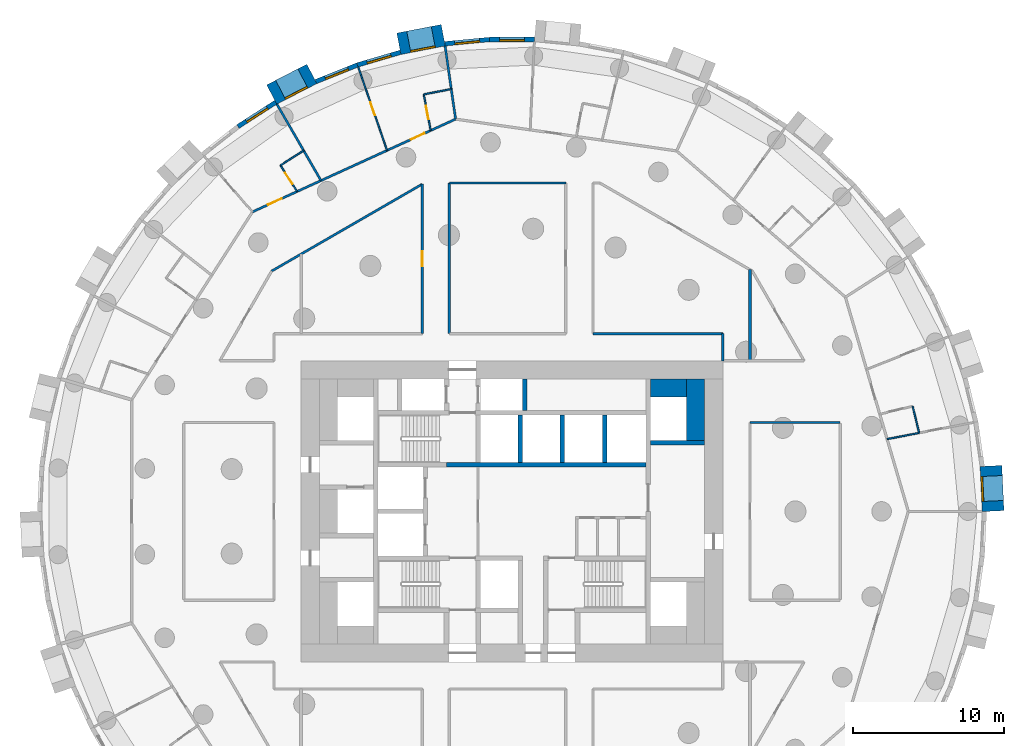
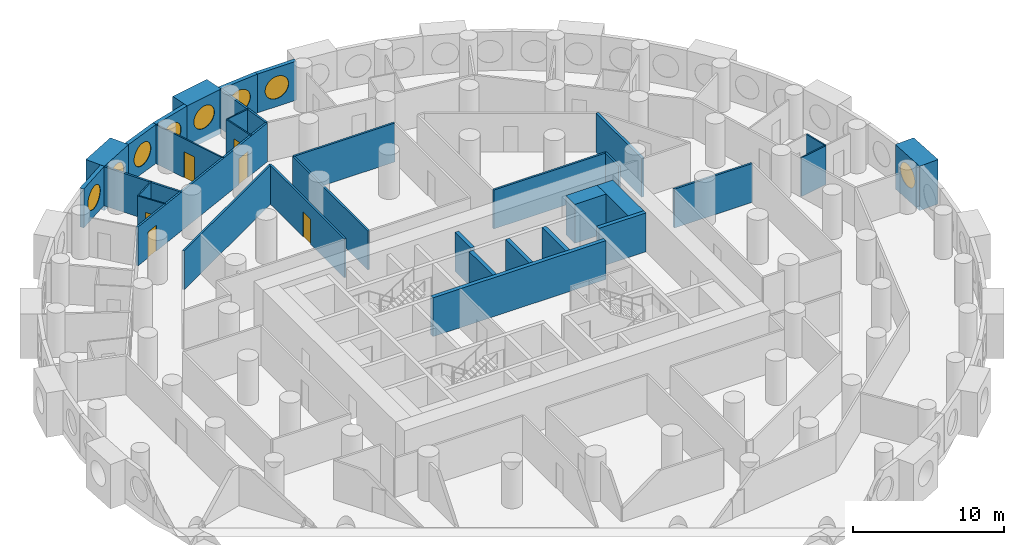
# One storey, part 8 of 12: 34 walls, 8 windows, 6 doors, 14 openings.
"""IFC4 building model written with IfcOpenShell, lengths in metres."""

from ifc_helpers import new_model, si_unit, direction, frame, frame_2d, origin, origin_2d, place, context, subcontext, project, spatial, rectangle, circle, extrude, material, layer, layer_set, type_object, element, fill, save


model = new_model("IFC4")

# Units and contexts
model_context = context("Model", 3, precision=1e-05, world=origin(), true_north=direction((0.0, 1.0)))
body_context = subcontext(model_context, "Body", "Model", "MODEL_VIEW")
ifc_project = project(units=[si_unit("LENGTHUNIT", "METRE"), si_unit("AREAUNIT", "SQUARE_METRE"), si_unit("VOLUMEUNIT", "CUBIC_METRE"), si_unit("PLANEANGLEUNIT", "RADIAN"), si_unit("MASSUNIT", "GRAM", prefix="KILO")], contexts=[model_context])

# Site, building, storey
site_placement = place(None, origin())
site = spatial("IfcSite", under=ifc_project, at=site_placement, CompositionType="ELEMENT")
building_placement = place(site_placement, origin())
building = spatial("IfcBuilding", under=site, at=building_placement, Name="Tracery Tower", CompositionType="ELEMENT")
storey_placement = place(building_placement, frame((0.0, 0.0, 89.39990234375)))
storey = spatial("IfcBuildingStorey", under=building, at=storey_placement, Name="L22", CompositionType="ELEMENT", Elevation=89.39990234375)

# Walls
ifc_material_1 = material(Name="Concrete C60/75", Category="concrete")
ifc_layer_1 = layer(ifc_material_1, 1.199951171875)
ifc_layer_set_1 = layer_set([ifc_layer_1], Name="Core strip wall 1200 C60")
wall_type_1 = type_object("IfcWallType", Name="Core strip wall 1200 C60", PredefinedType="SOLIDWALL", material=ifc_layer_set_1)
wall_1_placement = place(storey_placement, frame((12.199951171875, 4.699951171875, 0.0), z_axis=(0.0, 0.0, 1.0), x_axis=(0.0, 1.0, 0.0)))
element("IfcWall", 1, at=wall_1_placement, inside=storey, type_object=wall_type_1, Name="L22 wing strip +1 4.55", PredefinedType="SOLIDWALL", context=body_context, shape_type="SweptSolid", body=[
    extrude(rectangle(XDim=4.10009765625, YDim=1.199951171875, at=frame_2d((2.050048828125, 0.0))), origin(), (0.0, 0.0, 1.0), 3.150146484375),
])
wall_2_placement = place(storey_placement, frame((9.199951171875, 8.199951171875, 0.0), z_axis=(0.0, 0.0, 1.0), x_axis=(1.0, 0.0, 0.0)))
element("IfcWall", 2, at=wall_2_placement, inside=storey, type_object=wall_type_1, Name="L22 wing corner +1 +8.2", PredefinedType="SOLIDWALL", context=body_context, shape_type="SweptSolid", body=[
    extrude(rectangle(XDim=2.400146484375, YDim=1.199951171875, at=frame_2d((1.2001953125, 0.0))), origin(), (0.0, 0.0, 1.0), 3.150146484375),
])

# Wall, opening, window
ifc_material_2 = material(Name="Precast concrete C50/60", Category="concrete")
ifc_layer_2 = layer(ifc_material_2, 1.449951171875)
ifc_layer_set_2 = layer_set([ifc_layer_2], Name="Deep-set bay unit 3000 x 3600, slab edge 450")
wall_type_2 = type_object("IfcWallType", Name="Deep-set bay unit 3000 x 3600, slab edge 450", PredefinedType="ELEMENTEDWALL", material=ifc_layer_set_2)
wall_3_placement = place(storey_placement, frame((31.94921875, 0.020263671875, -0.449951171875), z_axis=(0.0, 0.0, 1.0), x_axis=(-0.047607680889, 0.998866111509, 0.0)))
wall_3 = element("IfcWall", 3, at=wall_3_placement, inside=storey, type_object=wall_type_2, Name="Deep-set bay unit 1 at L22", PredefinedType="ELEMENTEDWALL", context=body_context, shape_type="SweptSolid", body=[
    extrude(rectangle(XDim=3.0, YDim=1.449951171875, at=frame_2d((1.5, 0.0))), origin(), (0.0, 0.0, 1.0), 3.60009765625),
])
opening_1_placement = place(wall_3_placement, frame((1.5, 0.0, 2.0)))
opening_1 = element("IfcOpeningElement", 4, at=opening_1_placement, cuts=wall_3, Name="Opening WN1", PredefinedType="OPENING", context=body_context, shape_type="SweptSolid", body=[
    extrude(circle(Radius=0.9000244140625, at=origin_2d()), frame((0.0, 0.73486328125, 0.0), z_axis=(0.0, -1.0, 0.0), x_axis=(1.0, 0.0, 0.0)), (0.0, 0.0, 1.0), 1.469970703125),
])
ifc_material_3 = material(Name="Aluminium frame with tinted double glazing", Category="aluminium")
window_type = type_object("IfcWindowType", Name="Round window 1800", PartitioningType="SINGLE_PANEL", PredefinedType="WINDOW", material=ifc_material_3)
window_1_placement = place(opening_1_placement, origin())
window_1 = element("IfcWindow", 5, at=window_1_placement, inside=storey, type_object=window_type, Name="Round window 1 at L22", OverallHeight=1.800048828125, OverallWidth=1.800048828125, PartitioningType="SINGLE_PANEL", PredefinedType="WINDOW", context=body_context, shape_type="SweptSolid", body=[
    extrude(circle(Radius=0.9000244140625, at=origin_2d()), frame((0.0, 0.69482421875, 0.0), z_axis=(0.0, -1.0, 0.0), x_axis=(1.0, 0.0, 0.0)), (0.0, 0.0, 1.0), 0.10009765625),
])
fill(opening_1, window_1)

wall_4_placement = place(storey_placement, frame((-4.56689453125, 31.62109375, -0.449951171875), z_axis=(0.0, 0.0, 1.0), x_axis=(-0.981921602273, -0.189288052949, 0.0)))
wall_4 = element("IfcWall", 6, at=wall_4_placement, inside=storey, type_object=wall_type_2, Name="Deep-set bay unit 19 at L22", PredefinedType="ELEMENTEDWALL", context=body_context, shape_type="SweptSolid", body=[
    extrude(rectangle(XDim=3.0, YDim=1.449951171875, at=frame_2d((1.5, 0.0))), origin(), (0.0, 0.0, 1.0), 3.60009765625),
])
opening_2_placement = place(wall_4_placement, frame((1.5, 0.0, 2.0)))
opening_2 = element("IfcOpeningElement", 7, at=opening_2_placement, cuts=wall_4, Name="Opening WN1", PredefinedType="OPENING", context=body_context, shape_type="SweptSolid", body=[
    extrude(circle(Radius=0.9000244140625, at=origin_2d()), frame((0.0, 0.73486328125, 0.0), z_axis=(0.0, -1.0, 0.0), x_axis=(1.0, 0.0, 0.0)), (0.0, 0.0, 1.0), 1.469970703125),
])
window_2_placement = place(opening_2_placement, origin())
window_2 = element("IfcWindow", 8, at=window_2_placement, inside=storey, type_object=window_type, Name="Round window 19 at L22", OverallHeight=1.800048828125, OverallWidth=1.800048828125, PartitioningType="SINGLE_PANEL", PredefinedType="WINDOW", context=body_context, shape_type="SweptSolid", body=[
    extrude(circle(Radius=0.9000244140625, at=origin_2d()), frame((0.0, 0.69482421875, 0.0), z_axis=(0.0, -1.0, 0.0), x_axis=(1.0, 0.0, 0.0)), (0.0, 0.0, 1.0), 0.10009765625),
])
fill(opening_2, window_2)

wall_5_placement = place(storey_placement, frame((-13.29052734375, 29.053466796875, -0.449951171875), z_axis=(0.0, 0.0, 1.0), x_axis=(-0.888858064689, -0.458182650083, 0.0)))
wall_5 = element("IfcWall", 9, at=wall_5_placement, inside=storey, type_object=wall_type_2, Name="Deep-set bay unit 22 at L22", PredefinedType="ELEMENTEDWALL", context=body_context, shape_type="SweptSolid", body=[
    extrude(rectangle(XDim=3.0, YDim=1.449951171875, at=frame_2d((1.5, 0.0))), origin(), (0.0, 0.0, 1.0), 3.60009765625),
])
opening_3_placement = place(wall_5_placement, frame((1.5, 0.0, 2.0)))
opening_3 = element("IfcOpeningElement", 10, at=opening_3_placement, cuts=wall_5, Name="Opening WN1", PredefinedType="OPENING", context=body_context, shape_type="SweptSolid", body=[
    extrude(circle(Radius=0.9000244140625, at=origin_2d()), frame((0.0, 0.73486328125, 0.0), z_axis=(0.0, -1.0, 0.0), x_axis=(1.0, 0.0, 0.0)), (0.0, 0.0, 1.0), 1.469970703125),
])
window_3_placement = place(opening_3_placement, origin())
window_3 = element("IfcWindow", 11, at=window_3_placement, inside=storey, type_object=window_type, Name="Round window 22 at L22", OverallHeight=1.800048828125, OverallWidth=1.800048828125, PartitioningType="SINGLE_PANEL", PredefinedType="WINDOW", context=body_context, shape_type="SweptSolid", body=[
    extrude(circle(Radius=0.9000244140625, at=origin_2d()), frame((0.0, 0.69482421875, 0.0), z_axis=(0.0, -1.0, 0.0), x_axis=(1.0, 0.0, 0.0)), (0.0, 0.0, 1.0), 0.10009765625),
])
fill(opening_3, window_3)

ifc_material_4 = material(Name="Precast concrete C50/60", Category="concrete")
ifc_layer_3 = layer(ifc_material_4, 0.300048828125)
ifc_layer_set_3 = layer_set([ifc_layer_3], Name="Facade panel 3000 x 3150")
wall_type_3 = type_object("IfcWallType", Name="Facade panel 3000 x 3150", PredefinedType="SOLIDWALL", material=ifc_layer_set_3)
wall_6_placement = place(storey_placement, frame((1.48681640625, 31.3388671875, 0.0), z_axis=(0.0, 0.0, 1.0), x_axis=(-1.0, 0.0, 0.0)))
wall_6 = element("IfcWall", 12, at=wall_6_placement, inside=storey, type_object=wall_type_3, Name="Facade panel 17 at L22", PredefinedType="SOLIDWALL", context=body_context, shape_type="SweptSolid", body=[
    extrude(rectangle(XDim=2.979736328125, YDim=0.300048828125, at=frame_2d((1.48974609375, 0.0))), origin(), (0.0, 0.0, 1.0), 3.150146484375),
])
opening_4_placement = place(wall_6_placement, frame((1.48974609375, 0.0, 1.5498046875)))
opening_4 = element("IfcOpeningElement", 13, at=opening_4_placement, cuts=wall_6, Name="Opening WN1", PredefinedType="OPENING", context=body_context, shape_type="SweptSolid", body=[
    extrude(circle(Radius=0.9000244140625, at=origin_2d()), frame((0.0, 0.159912109375, 0.0), z_axis=(0.0, -1.0, 0.0), x_axis=(1.0, 0.0, 0.0)), (0.0, 0.0, 1.0), 0.320068359375),
])
window_4_placement = place(opening_4_placement, origin())
window_4 = element("IfcWindow", 14, at=window_4_placement, inside=storey, type_object=window_type, Name="Round window 17 at L22", OverallHeight=1.800048828125, OverallWidth=1.800048828125, PartitioningType="SINGLE_PANEL", PredefinedType="WINDOW", context=body_context, shape_type="SweptSolid", body=[
    extrude(circle(Radius=0.9000244140625, at=origin_2d()), frame((0.0, 0.1201171875, 0.0), z_axis=(0.0, -1.0, 0.0), x_axis=(1.0, 0.0, 0.0)), (0.0, 0.0, 1.0), 0.10009765625),
])
fill(opening_4, window_4)

wall_7_placement = place(storey_placement, frame((-1.492919921875, 31.3388671875, 0.0), z_axis=(0.0, 0.0, 1.0), x_axis=(-0.995472611385, -0.095048829468, 0.0)))
wall_7 = element("IfcWall", 15, at=wall_7_placement, inside=storey, type_object=wall_type_3, Name="Facade panel 18 at L22", PredefinedType="SOLIDWALL", context=body_context, shape_type="SweptSolid", body=[
    extrude(rectangle(XDim=2.9794921875, YDim=0.300048828125, at=frame_2d((1.48974609375, 0.0))), origin(), (0.0, 0.0, 1.0), 3.150146484375),
])
opening_5_placement = place(wall_7_placement, frame((1.48974609375, 0.0, 1.5498046875)))
opening_5 = element("IfcOpeningElement", 16, at=opening_5_placement, cuts=wall_7, Name="Opening WN1", PredefinedType="OPENING", context=body_context, shape_type="SweptSolid", body=[
    extrude(circle(Radius=0.9000244140625, at=origin_2d()), frame((0.0, 0.159912109375, 0.0), z_axis=(0.0, -1.0, 0.0), x_axis=(1.0, 0.0, 0.0)), (0.0, 0.0, 1.0), 0.320068359375),
])
window_5_placement = place(opening_5_placement, origin())
window_5 = element("IfcWindow", 17, at=window_5_placement, inside=storey, type_object=window_type, Name="Round window 18 at L22", OverallHeight=1.800048828125, OverallWidth=1.800048828125, PartitioningType="SINGLE_PANEL", PredefinedType="WINDOW", context=body_context, shape_type="SweptSolid", body=[
    extrude(circle(Radius=0.9000244140625, at=origin_2d()), frame((0.0, 0.1201171875, 0.0), z_axis=(0.0, -1.0, 0.0), x_axis=(1.0, 0.0, 0.0)), (0.0, 0.0, 1.0), 0.10009765625),
])
fill(opening_5, window_5)

wall_8_placement = place(storey_placement, frame((-7.402587890625, 30.48828125, 0.0), z_axis=(0.0, 0.0, 1.0), x_axis=(-0.959501085144, -0.281704930036, 0.0)))
wall_8 = element("IfcWall", 18, at=wall_8_placement, inside=storey, type_object=wall_type_3, Name="Facade panel 20 at L22", PredefinedType="SOLIDWALL", context=body_context, shape_type="SweptSolid", body=[
    extrude(rectangle(XDim=2.9794921875, YDim=0.300048828125, at=frame_2d((1.48974609375, 0.0))), origin(), (0.0, 0.0, 1.0), 3.150146484375),
])
opening_6_placement = place(wall_8_placement, frame((1.48974609375, 0.0, 1.5498046875)))
opening_6 = element("IfcOpeningElement", 19, at=opening_6_placement, cuts=wall_8, Name="Opening WN1", PredefinedType="OPENING", context=body_context, shape_type="SweptSolid", body=[
    extrude(circle(Radius=0.9000244140625, at=origin_2d()), frame((0.0, 0.159912109375, 0.0), z_axis=(0.0, -1.0, 0.0), x_axis=(1.0, 0.0, 0.0)), (0.0, 0.0, 1.0), 0.320068359375),
])
window_6_placement = place(opening_6_placement, origin())
window_6 = element("IfcWindow", 20, at=window_6_placement, inside=storey, type_object=window_type, Name="Round window 20 at L22", OverallHeight=1.800048828125, OverallWidth=1.800048828125, PartitioningType="SINGLE_PANEL", PredefinedType="WINDOW", context=body_context, shape_type="SweptSolid", body=[
    extrude(circle(Radius=0.9000244140625, at=origin_2d()), frame((0.0, 0.1201171875, 0.0), z_axis=(0.0, -1.0, 0.0), x_axis=(1.0, 0.0, 0.0)), (0.0, 0.0, 1.0), 0.10009765625),
])
fill(opening_6, window_6)

wall_9_placement = place(storey_placement, frame((-10.261474609375, 29.64892578125, 0.0), z_axis=(0.0, 0.0, 1.0), x_axis=(-0.928374947, -0.371644935098, 0.0)))
wall_9 = element("IfcWall", 21, at=wall_9_placement, inside=storey, type_object=wall_type_3, Name="Facade panel 21 at L22", PredefinedType="SOLIDWALL", context=body_context, shape_type="SweptSolid", body=[
    extrude(rectangle(XDim=2.979736328125, YDim=0.300048828125, at=frame_2d((1.48974609375, 0.0))), origin(), (0.0, 0.0, 1.0), 3.150146484375),
])
opening_7_placement = place(wall_9_placement, frame((1.48974609375, 0.0, 1.5498046875)))
opening_7 = element("IfcOpeningElement", 22, at=opening_7_placement, cuts=wall_9, Name="Opening WN1", PredefinedType="OPENING", context=body_context, shape_type="SweptSolid", body=[
    extrude(circle(Radius=0.9000244140625, at=origin_2d()), frame((0.0, 0.159912109375, 0.0), z_axis=(0.0, -1.0, 0.0), x_axis=(1.0, 0.0, 0.0)), (0.0, 0.0, 1.0), 0.320068359375),
])
window_7_placement = place(opening_7_placement, origin())
window_7 = element("IfcWindow", 23, at=window_7_placement, inside=storey, type_object=window_type, Name="Round window 21 at L22", OverallHeight=1.800048828125, OverallWidth=1.800048828125, PartitioningType="SINGLE_PANEL", PredefinedType="WINDOW", context=body_context, shape_type="SweptSolid", body=[
    extrude(circle(Radius=0.9000244140625, at=origin_2d()), frame((0.0, 0.1201171875, 0.0), z_axis=(0.0, -1.0, 0.0), x_axis=(1.0, 0.0, 0.0)), (0.0, 0.0, 1.0), 0.10009765625),
])
fill(opening_7, window_7)

wall_10_placement = place(storey_placement, frame((-15.6923828125, 27.167724609375, 0.0), z_axis=(0.0, 0.0, 1.0), x_axis=(-0.841260995538, -0.54062920508, 0.0)))
wall_10 = element("IfcWall", 24, at=wall_10_placement, inside=storey, type_object=wall_type_3, Name="Facade panel 23 at L22", PredefinedType="SOLIDWALL", context=body_context, shape_type="SweptSolid", body=[
    extrude(rectangle(XDim=2.9794921875, YDim=0.300048828125, at=frame_2d((1.48974609375, 0.0))), origin(), (0.0, 0.0, 1.0), 3.150146484375),
])
opening_8_placement = place(wall_10_placement, frame((1.48974609375, 0.0, 1.5498046875)))
opening_8 = element("IfcOpeningElement", 25, at=opening_8_placement, cuts=wall_10, Name="Opening WN1", PredefinedType="OPENING", context=body_context, shape_type="SweptSolid", body=[
    extrude(circle(Radius=0.9000244140625, at=origin_2d()), frame((0.0, 0.159912109375, 0.0), z_axis=(0.0, -1.0, 0.0), x_axis=(1.0, 0.0, 0.0)), (0.0, 0.0, 1.0), 0.320068359375),
])
window_8_placement = place(opening_8_placement, origin())
window_8 = element("IfcWindow", 26, at=window_8_placement, inside=storey, type_object=window_type, Name="Round window 23 at L22", OverallHeight=1.800048828125, OverallWidth=1.800048828125, PartitioningType="SINGLE_PANEL", PredefinedType="WINDOW", context=body_context, shape_type="SweptSolid", body=[
    extrude(circle(Radius=0.9000244140625, at=origin_2d()), frame((0.0, 0.1201171875, 0.0), z_axis=(0.0, -1.0, 0.0), x_axis=(1.0, 0.0, 0.0)), (0.0, 0.0, 1.0), 0.10009765625),
])
fill(opening_8, window_8)

# Wall, opening, door
ifc_material_5 = material(Name="Plasterboard on steel studs", Category="steel")
ifc_layer_4 = layer(ifc_material_5, 0.10009765625)
ifc_layer_set_4 = layer_set([ifc_layer_4], Name="Partition 100 stud")
wall_type_4 = type_object("IfcWallType", Name="Partition 100 stud", PredefinedType="PARTITIONING", material=ifc_layer_set_4)
wall_11_placement = place(storey_placement, frame((-10.2119140625, 29.507080078125, 0.0), z_axis=(0.0, 0.0, 1.0), x_axis=(0.32692444056, -0.94505048022, 0.0)))
wall_11 = element("IfcWall", 27, at=wall_11_placement, inside=storey, type_object=wall_type_4, Name="Stud partition RA6-077", PredefinedType="PARTITIONING", context=body_context, shape_type="SweptSolid", body=[
    extrude(rectangle(XDim=5.85693359375, YDim=0.10009765625, at=frame_2d((2.928466796875, 0.0))), origin(), (0.0, 0.0, 1.0), 3.150146484375),
])
opening_9_placement = place(wall_11_placement, frame((2.47900390625, 0.0, 0.0)))
opening_9 = element("IfcOpeningElement", 28, at=opening_9_placement, cuts=wall_11, Name="Opening RA6-25", PredefinedType="OPENING", context=body_context, shape_type="SweptSolid", body=[
    extrude(rectangle(XDim=0.89990234375, YDim=2.10009765625, at=frame_2d((0.449951171875, 1.050048828125))), frame((0.0, 0.050048828125, 0.0), z_axis=(0.0, -1.0, 0.0), x_axis=(1.0, 0.0, 0.0)), (0.0, 0.0, 1.0), 0.10009765625),
])
ifc_material_6 = material(Name="Timber door leaf", Category="wood")
door_type_1 = type_object("IfcDoorType", Name="Door bedroom 900", OperationType="NOTDEFINED", PredefinedType="DOOR", material=ifc_material_6)
door_1_placement = place(opening_9_placement, origin())
door_1 = element("IfcDoor", 29, at=door_1_placement, inside=storey, type_object=door_type_1, Name="Bedroom door RA6-25", OperationType="SINGLE_SWING_LEFT", OverallHeight=2.10009765625, OverallWidth=0.89990234375, PredefinedType="DOOR", context=body_context, shape_type="SweptSolid", body=[
    extrude(rectangle(XDim=0.89990234375, YDim=2.10009765625, at=frame_2d((0.449951171875, 1.050048828125))), frame((0.0, 0.02490234375, 0.0), z_axis=(0.0, -1.0, 0.0), x_axis=(1.0, 0.0, 0.0)), (0.0, 0.0, 1.0), 0.050048828125),
])
fill(opening_9, door_1)

# Walls
ifc_material_7 = material(Name="Plasterboard on steel studs", Category="steel")
ifc_layer_5 = layer(ifc_material_7, 0.10009765625)
ifc_layer_set_5 = layer_set([ifc_layer_5], Name="Partition 100 wet wall")
wall_type_5 = type_object("IfcWallType", Name="Partition 100 wet wall", PredefinedType="PARTITIONING", material=ifc_layer_set_5)
wall_12_placement = place(storey_placement, frame((26.60791015625, 6.98388671875, 0.0), z_axis=(0.0, 0.0, 1.0), x_axis=(0.235791524639, -0.971803661708, 0.0)))
element("IfcWall", 30, at=wall_12_placement, inside=storey, type_object=wall_type_5, Name="Wet wall RA6-060", PredefinedType="PARTITIONING", context=body_context, shape_type="SweptSolid", body=[
    extrude(rectangle(XDim=1.824462890625, YDim=0.10009765625, at=frame_2d((0.912109375, 0.0))), origin(), (0.0, 0.0, 1.0), 3.150146484375),
])
wall_13_placement = place(storey_placement, frame((24.908935546875, 4.801025390625, 0.0), z_axis=(0.0, 0.0, 1.0), x_axis=(0.981947880287, 0.189151686222, 0.0)))
element("IfcWall", 31, at=wall_13_placement, inside=storey, type_object=wall_type_5, Name="Wet wall RA6-062", PredefinedType="PARTITIONING", context=body_context, shape_type="SweptSolid", body=[
    extrude(rectangle(XDim=2.17236328125, YDim=0.10009765625, at=frame_2d((1.086181640625, 0.0))), origin(), (0.0, 0.0, 1.0), 3.150146484375),
])
wall_14_placement = place(storey_placement, frame((-5.861083984375, 27.694091796875, 0.0), z_axis=(0.0, 0.0, 1.0), x_axis=(0.981879093558, 0.189508431565, 0.0)))
element("IfcWall", 32, at=wall_14_placement, inside=storey, type_object=wall_type_5, Name="Wet wall RA6-078", PredefinedType="PARTITIONING", context=body_context, shape_type="SweptSolid", body=[
    extrude(rectangle(XDim=1.86279296875, YDim=0.10009765625, at=frame_2d((0.931396484375, 0.0))), origin(), (0.0, 0.0, 1.0), 3.150146484375),
])

# Wall, opening, door
wall_15_placement = place(storey_placement, frame((-5.861083984375, 27.694091796875, 0.0), z_axis=(0.0, 0.0, 1.0), x_axis=(0.189229262293, -0.981932933704, 0.0)))
wall_15 = element("IfcWall", 33, at=wall_15_placement, inside=storey, type_object=wall_type_5, Name="Wet wall RA6-079", PredefinedType="PARTITIONING", context=body_context, shape_type="SweptSolid", body=[
    extrude(rectangle(XDim=2.4423828125, YDim=0.10009765625, at=frame_2d((1.22119140625, 0.0))), origin(), (0.0, 0.0, 1.0), 3.150146484375),
])
opening_10_placement = place(wall_15_placement, frame((0.77099609375, 0.0, 0.0)))
opening_10 = element("IfcOpeningElement", 34, at=opening_10_placement, cuts=wall_15, Name="Opening RA6-26", PredefinedType="OPENING", context=body_context, shape_type="SweptSolid", body=[
    extrude(rectangle(XDim=0.89990234375, YDim=2.0, at=frame_2d((0.449951171875, 1.0))), frame((0.0, 0.050048828125, 0.0), z_axis=(0.0, -1.0, 0.0), x_axis=(1.0, 0.0, 0.0)), (0.0, 0.0, 1.0), 0.10009765625),
])
ifc_material_8 = material(Name="Timber door leaf", Category="wood")
door_type_2 = type_object("IfcDoorType", Name="Door shower room 900", OperationType="NOTDEFINED", PredefinedType="DOOR", material=ifc_material_8)
door_2_placement = place(opening_10_placement, origin())
door_2 = element("IfcDoor", 35, at=door_2_placement, inside=storey, type_object=door_type_2, Name="Shower room door RA6-26", OperationType="SINGLE_SWING_LEFT", OverallHeight=2.0, OverallWidth=0.89990234375, PredefinedType="DOOR", context=body_context, shape_type="SweptSolid", body=[
    extrude(rectangle(XDim=0.89990234375, YDim=2.0, at=frame_2d((0.449951171875, 1.0))), frame((0.0, 0.02490234375, 0.0), z_axis=(0.0, -1.0, 0.0), x_axis=(1.0, 0.0, 0.0)), (0.0, 0.0, 1.0), 0.050048828125),
])
fill(opening_10, door_2)

# Wall
wall_16_placement = place(storey_placement, frame((-15.376953125, 22.97607421875, 0.0), z_axis=(0.0, 0.0, 1.0), x_axis=(0.84118714077, 0.540744111576, 0.0)))
element("IfcWall", 36, at=wall_16_placement, inside=storey, type_object=wall_type_5, Name="Wet wall RA6-082", PredefinedType="PARTITIONING", context=body_context, shape_type="SweptSolid", body=[
    extrude(rectangle(XDim=1.830810546875, YDim=0.10009765625, at=frame_2d((0.91552734375, 0.0))), origin(), (0.0, 0.0, 1.0), 3.150146484375),
])

# Wall, opening, door
wall_17_placement = place(storey_placement, frame((-15.376953125, 22.97607421875, 0.0), z_axis=(0.0, 0.0, 1.0), x_axis=(0.54031338164, -0.841463873033, 0.0)))
wall_17 = element("IfcWall", 37, at=wall_17_placement, inside=storey, type_object=wall_type_5, Name="Wet wall RA6-083", PredefinedType="PARTITIONING", context=body_context, shape_type="SweptSolid", body=[
    extrude(rectangle(XDim=2.055908203125, YDim=0.10009765625, at=frame_2d((1.02783203125, 0.0))), origin(), (0.0, 0.0, 1.0), 3.150146484375),
])
opening_11_placement = place(wall_17_placement, frame((0.577880859375, 0.0, 0.0)))
opening_11 = element("IfcOpeningElement", 38, at=opening_11_placement, cuts=wall_17, Name="Opening RA6-29", PredefinedType="OPENING", context=body_context, shape_type="SweptSolid", body=[
    extrude(rectangle(XDim=0.89990234375, YDim=2.0, at=frame_2d((0.449951171875, 1.0))), frame((0.0, 0.050048828125, 0.0), z_axis=(0.0, -1.0, 0.0), x_axis=(1.0, 0.0, 0.0)), (0.0, 0.0, 1.0), 0.10009765625),
])
door_3_placement = place(opening_11_placement, origin())
door_3 = element("IfcDoor", 39, at=door_3_placement, inside=storey, type_object=door_type_2, Name="Shower room door RA6-29", OperationType="SINGLE_SWING_LEFT", OverallHeight=2.0, OverallWidth=0.89990234375, PredefinedType="DOOR", context=body_context, shape_type="SweptSolid", body=[
    extrude(rectangle(XDim=0.89990234375, YDim=2.0, at=frame_2d((0.449951171875, 1.0))), frame((0.0, 0.02490234375, 0.0), z_axis=(0.0, -1.0, 0.0), x_axis=(1.0, 0.0, 0.0)), (0.0, 0.0, 1.0), 0.050048828125),
])
fill(opening_11, door_3)

# Walls
ifc_material_9 = material(Name="Plasterboard on steel studs", Category="steel")
ifc_layer_6 = layer(ifc_material_9, 0.14990234375)
ifc_layer_set_6 = layer_set([ifc_layer_6], Name="Partition 150 acoustic unit wall")
wall_type_6 = type_object("IfcWallType", Name="Partition 150 acoustic unit wall", PredefinedType="PARTITIONING", material=ifc_layer_set_6)
wall_18_placement = place(storey_placement, frame((-4.444091796875, 30.906005859375, 0.0), z_axis=(0.0, 0.0, 1.0), x_axis=(0.142452592463, -0.989801626035, 0.0)))
element("IfcWall", 40, at=wall_18_placement, inside=storey, type_object=wall_type_6, Name="Unit wall RA6-076", PredefinedType="PARTITIONING", context=body_context, shape_type="SweptSolid", body=[
    extrude(rectangle(XDim=4.905029296875, YDim=0.14990234375, at=frame_2d((2.45263671875, 0.0))), origin(), (0.0, 0.0, 1.0), 3.150146484375),
])
wall_19_placement = place(storey_placement, frame((-15.612060546875, 27.041015625, 0.0), z_axis=(0.0, 0.0, 1.0), x_axis=(0.499985873194, -0.866033559746, 0.0)))
element("IfcWall", 41, at=wall_19_placement, inside=storey, type_object=wall_type_6, Name="Unit wall RA6-080", PredefinedType="PARTITIONING", context=body_context, shape_type="SweptSolid", body=[
    extrude(rectangle(XDim=5.856689453125, YDim=0.14990234375, at=frame_2d((2.92822265625, 0.0))), origin(), (0.0, 0.0, 1.0), 3.150146484375),
])
ifc_material_10 = material(Name="Plasterboard on steel studs", Category="steel")
ifc_layer_7 = layer(ifc_material_10, 0.14990234375)
ifc_layer_set_7 = layer_set([ifc_layer_7], Name="Partition 150 corridor wall")
wall_type_7 = type_object("IfcWallType", Name="Partition 150 corridor wall", PredefinedType="PARTITIONING", material=ifc_layer_set_7)
wall_20_placement = place(storey_placement, frame((5.3720703125, 11.800048828125, 0.0), z_axis=(0.0, 0.0, 1.0), x_axis=(1.0, 0.0, 0.0)))
element("IfcWall", 42, at=wall_20_placement, inside=storey, type_object=wall_type_7, Name="Corridor wall RA6-003", PredefinedType="PARTITIONING", context=body_context, shape_type="SweptSolid", body=[
    extrude(rectangle(XDim=8.6279296875, YDim=0.14990234375, at=frame_2d((4.31396484375, 0.0))), origin(), (0.0, 0.0, 1.0), 3.150146484375),
])
wall_21_placement = place(storey_placement, frame((14.0, 10.0, 0.0), z_axis=(0.0, 0.0, 1.0), x_axis=(0.0, 1.0, 0.0)))
element("IfcWall", 43, at=wall_21_placement, inside=storey, type_object=wall_type_7, Name="Corridor wall RA6-004", PredefinedType="PARTITIONING", context=body_context, shape_type="SweptSolid", body=[
    extrude(rectangle(XDim=1.800048828125, YDim=0.14990234375, at=frame_2d((0.89990234375, 0.0))), origin(), (0.0, 0.0, 1.0), 3.150146484375),
])
wall_22_placement = place(storey_placement, frame((15.800048828125, 5.89990234375, 0.0), z_axis=(0.0, 0.0, 1.0), x_axis=(1.0, 0.0, 0.0)))
element("IfcWall", 44, at=wall_22_placement, inside=storey, type_object=wall_type_7, Name="Corridor wall RA6-017", PredefinedType="PARTITIONING", context=body_context, shape_type="SweptSolid", body=[
    extrude(rectangle(XDim=5.968017578125, YDim=0.14990234375, at=frame_2d((2.98388671875, 0.0))), origin(), (0.0, 0.0, 1.0), 3.150146484375),
])

# Wall, opening, door
wall_23_placement = place(storey_placement, frame((-5.9599609375, 11.800048828125, 0.0), z_axis=(0.0, 0.0, 1.0), x_axis=(0.0, 1.0, 0.0)))
wall_23 = element("IfcWall", 45, at=wall_23_placement, inside=storey, type_object=wall_type_7, Name="Corridor wall RA6-024", PredefinedType="PARTITIONING", context=body_context, shape_type="SweptSolid", body=[
    extrude(rectangle(XDim=9.933837890625, YDim=0.14990234375, at=frame_2d((4.966796875, 0.0))), origin(), (0.0, 0.0, 1.0), 3.150146484375),
])
opening_12_placement = place(wall_23_placement, frame((4.467041015625, 0.0, 0.0)))
opening_12 = element("IfcOpeningElement", 46, at=opening_12_placement, cuts=wall_23, Name="Opening RA6-01", PredefinedType="OPENING", context=body_context, shape_type="SweptSolid", body=[
    extrude(rectangle(XDim=1.0, YDim=2.0400390625, at=frame_2d((0.5, 1.02001953125))), frame((0.0, 0.074951171875, 0.0), z_axis=(0.0, -1.0, 0.0), x_axis=(1.0, 0.0, 0.0)), (0.0, 0.0, 1.0), 0.14990234375),
])
ifc_material_11 = material(Name="Timber door leaf", Category="wood")
door_type_3 = type_object("IfcDoorType", Name="Door communal room 1000", OperationType="NOTDEFINED", PredefinedType="DOOR", material=ifc_material_11)
door_4_placement = place(opening_12_placement, origin())
door_4 = element("IfcDoor", 47, at=door_4_placement, inside=storey, type_object=door_type_3, Name="Communal room door RA6-01", OperationType="SINGLE_SWING_LEFT", OverallHeight=2.0400390625, OverallWidth=1.0, PredefinedType="DOOR", context=body_context, shape_type="SweptSolid", body=[
    extrude(rectangle(XDim=1.0, YDim=2.0400390625, at=frame_2d((0.5, 1.02001953125))), frame((0.0, 0.02490234375, 0.0), z_axis=(0.0, -1.0, 0.0), x_axis=(1.0, 0.0, 0.0)), (0.0, 0.0, 1.0), 0.050048828125),
])
fill(opening_12, door_4)

# Walls
wall_24_placement = place(storey_placement, frame((-15.960205078125, 15.960205078125, 0.0), z_axis=(0.0, 0.0, 1.0), x_axis=(0.86602397904, 0.500002467721, 0.0)))
element("IfcWall", 48, at=wall_24_placement, inside=storey, type_object=wall_type_7, Name="Corridor wall RA6-025", PredefinedType="PARTITIONING", context=body_context, shape_type="SweptSolid", body=[
    extrude(rectangle(XDim=11.54736328125, YDim=0.14990234375, at=frame_2d((5.773681640625, 0.0))), origin(), (0.0, 0.0, 1.0), 3.150146484375),
])
wall_25_placement = place(storey_placement, frame((-4.159912109375, 21.802001953125, 0.0), z_axis=(0.0, 0.0, 1.0), x_axis=(1.0, 0.0, 0.0)))
element("IfcWall", 49, at=wall_25_placement, inside=storey, type_object=wall_type_7, Name="Corridor wall RA6-027", PredefinedType="PARTITIONING", context=body_context, shape_type="SweptSolid", body=[
    extrude(rectangle(XDim=7.73583984375, YDim=0.14990234375, at=frame_2d((3.867919921875, 0.0))), origin(), (0.0, 0.0, 1.0), 3.150146484375),
])
wall_26_placement = place(storey_placement, frame((-4.159912109375, 11.800048828125, 0.0), z_axis=(0.0, 0.0, 1.0), x_axis=(0.0, 1.0, 0.0)))
element("IfcWall", 50, at=wall_26_placement, inside=storey, type_object=wall_type_7, Name="Corridor wall RA6-028", PredefinedType="PARTITIONING", context=body_context, shape_type="SweptSolid", body=[
    extrude(rectangle(XDim=10.001953125, YDim=0.14990234375, at=frame_2d((5.0009765625, 0.0))), origin(), (0.0, 0.0, 1.0), 3.150146484375),
])

# Wall, openings, doors
wall_27_placement = place(storey_placement, frame((-17.235595703125, 19.89111328125, 0.0), z_axis=(0.0, 0.0, 1.0), x_axis=(0.909645678785, 0.415385049163, 0.0)))
wall_27 = element("IfcWall", 51, at=wall_27_placement, inside=storey, type_object=wall_type_7, Name="Corridor wall RA6-033", PredefinedType="PARTITIONING", context=body_context, shape_type="SweptSolid", body=[
    extrude(rectangle(XDim=14.829345703125, YDim=0.14990234375, at=frame_2d((7.41455078125, 0.0))), origin(), (0.0, 0.0, 1.0), 3.150146484375),
])
opening_13_placement = place(wall_27_placement, frame((11.569091796875, 0.0, 0.0)))
opening_13 = element("IfcOpeningElement", 52, at=opening_13_placement, cuts=wall_27, Name="Opening RA6-27", PredefinedType="OPENING", context=body_context, shape_type="SweptSolid", body=[
    extrude(rectangle(XDim=1.0, YDim=2.10009765625, at=frame_2d((0.5, 1.050048828125))), frame((0.0, 0.074951171875, 0.0), z_axis=(0.0, -1.0, 0.0), x_axis=(1.0, 0.0, 0.0)), (0.0, 0.0, 1.0), 0.14990234375),
])
opening_14_placement = place(wall_27_placement, frame((1.134033203125, 0.0, 0.0)))
opening_14 = element("IfcOpeningElement", 53, at=opening_14_placement, cuts=wall_27, Name="Opening RA6-30", PredefinedType="OPENING", context=body_context, shape_type="SweptSolid", body=[
    extrude(rectangle(XDim=1.0, YDim=2.10009765625, at=frame_2d((0.5, 1.050048828125))), frame((0.0, 0.074951171875, 0.0), z_axis=(0.0, -1.0, 0.0), x_axis=(1.0, 0.0, 0.0)), (0.0, 0.0, 1.0), 0.14990234375),
])
ifc_material_12 = material(Name="Timber door leaf", Category="wood")
door_type_4 = type_object("IfcDoorType", Name="Door unit entrance 1000", OperationType="NOTDEFINED", PredefinedType="DOOR", material=ifc_material_12)
door_5_placement = place(opening_13_placement, origin())
door_5 = element("IfcDoor", 54, at=door_5_placement, inside=storey, type_object=door_type_4, Name="Unit entrance door RA6-27", OperationType="SINGLE_SWING_RIGHT", OverallHeight=2.10009765625, OverallWidth=1.0, PredefinedType="DOOR", context=body_context, shape_type="SweptSolid", body=[
    extrude(rectangle(XDim=1.0, YDim=2.10009765625, at=frame_2d((0.5, 1.050048828125))), frame((0.0, 0.02490234375, 0.0), z_axis=(0.0, -1.0, 0.0), x_axis=(1.0, 0.0, 0.0)), (0.0, 0.0, 1.0), 0.050048828125),
])
fill(opening_13, door_5)
door_6_placement = place(opening_14_placement, origin())
door_6 = element("IfcDoor", 55, at=door_6_placement, inside=storey, type_object=door_type_4, Name="Unit entrance door RA6-30", OperationType="SINGLE_SWING_RIGHT", OverallHeight=2.10009765625, OverallWidth=1.0, PredefinedType="DOOR", context=body_context, shape_type="SweptSolid", body=[
    extrude(rectangle(XDim=1.0, YDim=2.10009765625, at=frame_2d((0.5, 1.050048828125))), frame((0.0, 0.02490234375, 0.0), z_axis=(0.0, -1.0, 0.0), x_axis=(1.0, 0.0, 0.0)), (0.0, 0.0, 1.0), 0.050048828125),
])
fill(opening_14, door_6)

# Walls
ifc_material_13 = material(Name="Plasterboard on steel studs", Category="steel")
ifc_layer_8 = layer(ifc_material_13, 0.199951171875)
ifc_layer_set_8 = layer_set([ifc_layer_8], Name="Partition 200 compartment wall")
wall_type_8 = type_object("IfcWallType", Name="Partition 200 compartment wall", PredefinedType="PARTITIONING", material=ifc_layer_set_8)
wall_28_placement = place(storey_placement, frame((15.800048828125, 10.0, 0.0), z_axis=(0.0, 0.0, 1.0), x_axis=(0.0, 1.0, 0.0)))
element("IfcWall", 56, at=wall_28_placement, inside=storey, type_object=wall_type_8, Name="Compartment wall RA6-055", PredefinedType="PARTITIONING", context=body_context, shape_type="SweptSolid", body=[
    extrude(rectangle(XDim=6.052978515625, YDim=0.199951171875, at=frame_2d((3.0263671875, 0.0))), origin(), (0.0, 0.0, 1.0), 3.150146484375),
])
ifc_material_14 = material(Name="Concrete C60/75", Category="concrete")
ifc_layer_9 = layer(ifc_material_14, 0.300048828125)
ifc_layer_set_9 = layer_set([ifc_layer_9], Name="Shaft wall 300 C60")
wall_type_9 = type_object("IfcWallType", Name="Shaft wall 300 C60", PredefinedType="SOLIDWALL", material=ifc_layer_set_9)
for number, where, z_axis, x_axis, name in (
    (57, (0.550048828125, 3.25, 0.0), (0.0, 0.0, 1.0), (0.0, 1.0, 0.0), "L22 HR sep 1"),
    (58, (3.35009765625, 3.25, 0.0), (0.0, 0.0, 1.0), (0.0, 1.0, 0.0), "L22 HR sep 2"),
    (59, (6.14990234375, 3.25, 0.0), (0.0, 0.0, 1.0), (0.0, 1.0, 0.0), "L22 HR sep 3"),
):
    element("IfcWall", number, at=place(storey_placement, frame(where, z_axis=z_axis, x_axis=x_axis)), inside=storey, type_object=wall_type_9, Name=name, PredefinedType="SOLIDWALL", context=body_context, shape_type="SweptSolid", body=[
        extrude(rectangle(XDim=3.14990234375, YDim=0.300048828125, at=frame_2d((1.574951171875, 0.0))), origin(), (0.0, 0.0, 1.0), 3.150146484375),
    ])
wall_29_placement = place(storey_placement, frame((0.85009765625, 6.699951171875, 0.0), z_axis=(0.0, 0.0, 1.0), x_axis=(0.0, 1.0, 0.0)))
element("IfcWall", 60, at=wall_29_placement, inside=storey, type_object=wall_type_9, Name="L22 LR sep 0.85", PredefinedType="SOLIDWALL", context=body_context, shape_type="SweptSolid", body=[
    extrude(rectangle(XDim=2.10009765625, YDim=0.300048828125, at=frame_2d((1.050048828125, 0.0))), origin(), (0.0, 0.0, 1.0), 3.150146484375),
])
wall_30_placement = place(storey_placement, frame((9.199951171875, 4.550048828125, 0.0), z_axis=(0.0, 0.0, 1.0), x_axis=(1.0, 0.0, 0.0)))
element("IfcWall", 61, at=wall_30_placement, inside=storey, type_object=wall_type_9, Name="L22 wing shaft wall +1 +4.55", PredefinedType="SOLIDWALL", context=body_context, shape_type="SweptSolid", body=[
    extrude(rectangle(XDim=3.60009765625, YDim=0.300048828125, at=frame_2d((1.800048828125, 0.0))), origin(), (0.0, 0.0, 1.0), 3.150146484375),
])
ifc_material_15 = material(Name="Concrete C60/75", Category="concrete")
ifc_layer_10 = layer(ifc_material_15, 0.300048828125)
ifc_layer_set_10 = layer_set([ifc_layer_10], Name="Stair wall 300 C60")
wall_type_10 = type_object("IfcWallType", Name="Stair wall 300 C60", PredefinedType="SOLIDWALL", material=ifc_layer_set_10)
wall_31_placement = place(storey_placement, frame((-4.35009765625, 3.10009765625, 0.0), z_axis=(0.0, 0.0, 1.0), x_axis=(1.0, 0.0, 0.0)))
element("IfcWall", 62, at=wall_31_placement, inside=storey, type_object=wall_type_10, Name="L22 row N", PredefinedType="SOLIDWALL", context=body_context, shape_type="SweptSolid", body=[
    extrude(rectangle(XDim=13.25, YDim=0.300048828125, at=frame_2d((6.625, 0.0))), origin(), (0.0, 0.0, 1.0), 3.150146484375),
])

save(model, "model.ifc")
